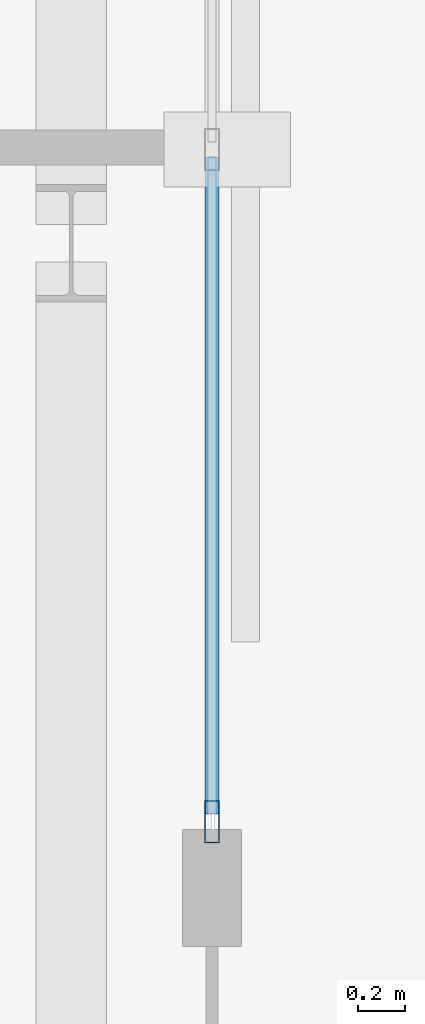
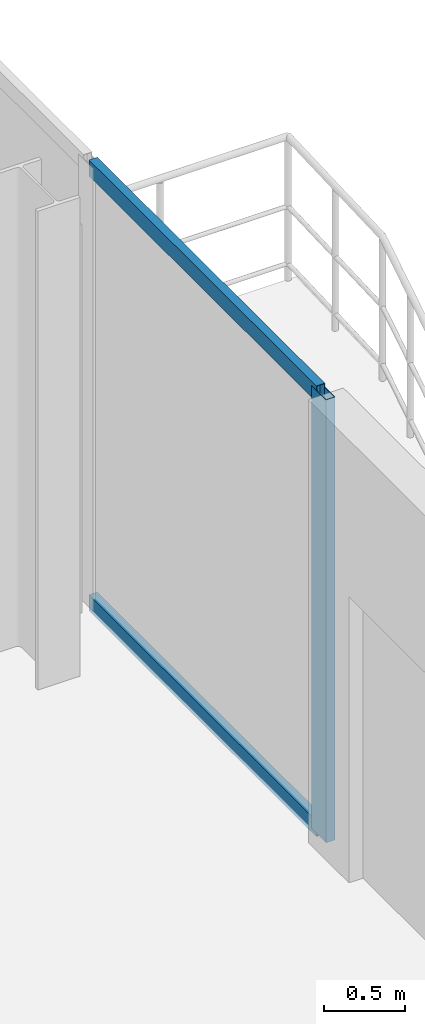
# One storey, part 14 of 23: 3 members, 1 element without a shape of its own.
"""IFC4 building model written with IfcOpenShell, lengths in metres."""

from ifc_helpers import new_model, si_unit, direction, frame, origin, origin_2d, place, context, subcontext, project, spatial, hollow_rectangle, extrude, material, layer, layer_set, material_profile, profile_set, type_object, element, aggregate, save


model = new_model("IFC4")

# Units and contexts
model_context = context("Model", 3, precision=1e-05, world=origin(), true_north=direction((0.0, 1.0)))
body_context = subcontext(model_context, "Body", "Model", "MODEL_VIEW")
ifc_project = project(units=[si_unit("LENGTHUNIT", "METRE"), si_unit("AREAUNIT", "SQUARE_METRE"), si_unit("VOLUMEUNIT", "CUBIC_METRE"), si_unit("PLANEANGLEUNIT", "RADIAN"), si_unit("MASSUNIT", "GRAM", prefix="KILO")], contexts=[model_context])

# Site, building, storey
site_placement = place(None, origin())
site = spatial("IfcSite", under=ifc_project, at=site_placement, CompositionType="ELEMENT")
building_placement = place(site_placement, origin())
building = spatial("IfcBuilding", under=site, at=building_placement, Name="Catumbela Crestline Tower", CompositionType="ELEMENT")
storey_placement = place(building_placement, frame((0.0, 0.0, 168.6)))
storey = spatial("IfcBuildingStorey", under=building, at=storey_placement, Name="L43", CompositionType="ELEMENT", Elevation=168.6)

# Curtain wall, members
ifc_material = material(Name="Aluminium alloy AW-6060-T66", Category="aluminium")
ifc_layer = layer(ifc_material, 0.18, Name="Aluminium alloy AW-6060-T66")
ifc_layer_set = layer_set([ifc_layer], Name="Aluminium alloy AW-6060-T66")
curtain_wall_type = type_object("IfcCurtainWallType", Name="CWU-Z3", PredefinedType="USERDEFINED", material=ifc_layer_set)
curtain_wall_placement = place(storey_placement, origin())
curtain_wall = element("IfcCurtainWall", 1, at=curtain_wall_placement, inside=storey, type_object=curtain_wall_type, Name="L43 Unitised Curtain Wall CW-L43-E5S2", ObjectType="UNITISED", PredefinedType="USERDEFINED")
ifc_material_profile_1 = material_profile(ifc_material, hollow_rectangle(XDim=0.065, YDim=0.18, WallThickness=0.004, at=origin_2d()), Name="ALU 180x65x4")
ifc_profile_set_1 = profile_set([ifc_material_profile_1], Name="Aluminium alloy AW-6060-T66")
member_type_1 = type_object("IfcMemberType", Name="MUL-180X65", PredefinedType="MULLION", material=ifc_profile_set_1)
member_1_placement = place(storey_placement, frame((51.0, 33.7325, 0.0), z_axis=(0.0, 0.0, 1.0), x_axis=(-1.0, 0.0, 0.0)))
member_1 = element("IfcMember", 2, at=member_1_placement, type_object=member_type_1, Name="CWU-Z3 mullion 1", PredefinedType="MULLION", context=body_context, shape_type="SweptSolid", body=[
    extrude(hollow_rectangle(XDim=0.065, YDim=0.18, WallThickness=0.004, at=origin_2d()), origin(), (0.0, 0.0, 1.0), 3.33),
])
ifc_material_profile_2 = material_profile(ifc_material, hollow_rectangle(XDim=0.06, YDim=0.12, WallThickness=0.0035, at=origin_2d()), Name="ALU 120x60x3.5")
ifc_profile_set_2 = profile_set([ifc_material_profile_2], Name="Aluminium alloy AW-6060-T66")
member_type_2 = type_object("IfcMemberType", Name="TRN-120X60", PredefinedType="USERDEFINED", material=ifc_profile_set_2)
member_2_placement = place(storey_placement, frame((51.0, 33.765, 0.03), z_axis=(0.0, 1.0, 0.0), x_axis=(-1.0, 0.0, 0.0)))
member_2 = element("IfcMember", 3, at=member_2_placement, type_object=member_type_2, Name="CWU-Z3 transom 1.1", ObjectType="TRANSOM", PredefinedType="USERDEFINED", context=body_context, shape_type="SweptSolid", body=[
    extrude(hollow_rectangle(XDim=0.06, YDim=0.12, WallThickness=0.0035, at=origin_2d()), origin(), (0.0, 0.0, 1.0), 2.8025),
])
member_3_placement = place(storey_placement, frame((51.0, 33.765, 3.3), z_axis=(0.0, 1.0, 0.0), x_axis=(-1.0, 0.0, 0.0)))
member_3 = element("IfcMember", 4, at=member_3_placement, type_object=member_type_2, Name="CWU-Z3 transom 1.2", ObjectType="TRANSOM", PredefinedType="USERDEFINED", context=body_context, shape_type="SweptSolid", body=[
    extrude(hollow_rectangle(XDim=0.06, YDim=0.12, WallThickness=0.0035, at=origin_2d()), origin(), (0.0, 0.0, 1.0), 2.8025),
])
aggregate(curtain_wall, [member_1, member_2, member_3])

save(model, "model.ifc")
